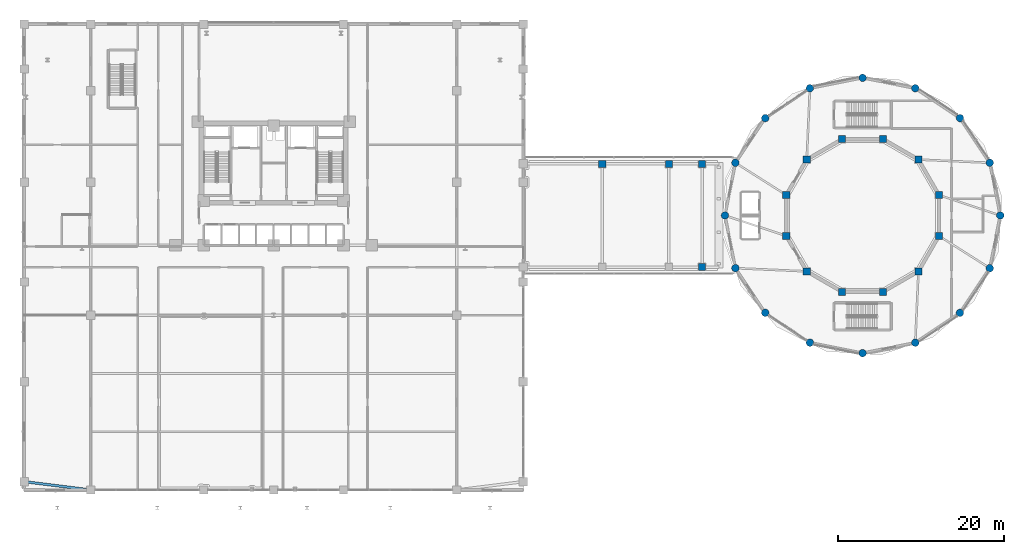
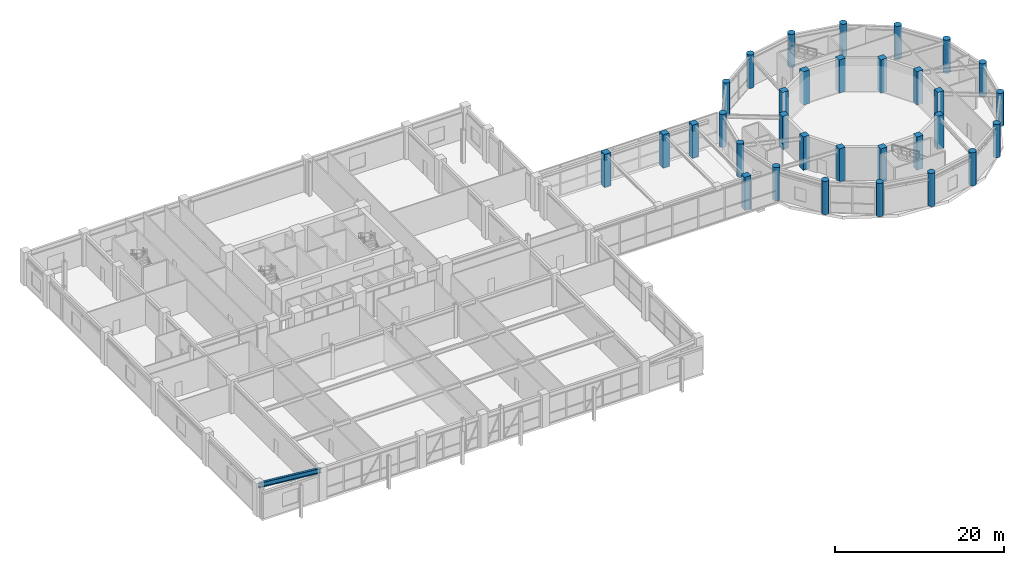
# One storey, part 4 of 48: 32 columns, 1 beam.
"""IFC4 building model written with IfcOpenShell, lengths in metres."""

from ifc_helpers import new_model, si_unit, derived_unit, direction, frame, origin, origin_2d, place, context, subcontext, project, spatial, rectangle, circle, i_section, extrude, source, transform, mapped, material, material_profile, profile_set, type_object, element, save


model = new_model("IFC4")

# Units and contexts
model_context = context("Model", 3, precision=1e-05, world=origin(), true_north=direction((0.0, 1.0)))
body_context = subcontext(model_context, "Body", "Model", "MODEL_VIEW")
ifc_project = project(units=[si_unit("LENGTHUNIT", "METRE"), si_unit("AREAUNIT", "SQUARE_METRE"), si_unit("VOLUMEUNIT", "CUBIC_METRE"), si_unit("PLANEANGLEUNIT", "RADIAN"), si_unit("MASSUNIT", "GRAM", prefix="KILO"), derived_unit("THERMALTRANSMITTANCEUNIT", [(si_unit("POWERUNIT", "WATT"), 1), (si_unit("LENGTHUNIT", "METRE"), -2), (si_unit("THERMODYNAMICTEMPERATUREUNIT", "KELVIN"), -1)])], contexts=[model_context])

# Site, building, storey
site_placement = place(None, origin())
site = spatial("IfcSite", under=ifc_project, at=site_placement, CompositionType="ELEMENT")
building_placement = place(site_placement, origin())
building = spatial("IfcBuilding", under=site, at=building_placement, Name="Korsvarv Bourse and Concert Hall", CompositionType="ELEMENT")
storey_placement = place(building_placement, frame((0.0, 0.0, 4.800048828125)))
storey = spatial("IfcBuildingStorey", under=building, at=storey_placement, Name="L01", CompositionType="ELEMENT", Elevation=4.800048828125)

# Columns
ifc_material_1 = material(Name="Concrete C50/60", Category="concrete")
ifc_material_profile_1 = material_profile(ifc_material_1, rectangle(XDim=0.85009765625, YDim=0.85009765625, at=origin_2d()), Name="RC 850x850")
ifc_profile_set_1 = profile_set([ifc_material_profile_1], Name="Concrete C50/60")
column_type_1 = type_object("IfcColumnType", Name="COL-RC850", PredefinedType="COLUMN", material=ifc_profile_set_1)
shared_shape_1 = source(origin(), body_context, "Body", "SweptSolid", [
    extrude(rectangle(XDim=0.85009765625, YDim=0.85009765625, at=origin_2d()), origin(), (0.0, 0.0, 1.0), 4.800048828125),
])
for number, where, z_axis, x_axis, name in (
    (1, (75.5, 42.199951171875, 0.0), (0.0, 0.0, 1.0), (1.0, 0.0, 0.0), "L01 column C-04"),
    (2, (83.5, 42.199951171875, 0.0), (0.0, 0.0, 1.0), (1.0, 0.0, 0.0), "L01 column C-04"),
    (3, (87.5, 29.800048828125, 0.0), (0.0, 0.0, 1.0), (1.0, 0.0, 0.0), "L01 column C-04"),
    (4, (87.5, 42.199951171875, 0.0), (0.0, 0.0, 1.0), (1.0, 0.0, 0.0), "L01 column C-04"),
    (5, (115.976318359375, 38.458740234375, 0.0), (0.0, 0.0, 1.0), (1.0, 0.0, 0.0), "L01 column C-04"),
    (6, (113.517578125, 42.717529296875, 0.0), (0.0, 0.0, 1.0), (1.0, 0.0, 0.0), "L01 column C-04"),
    (7, (109.2587890625, 45.17626953125, 0.0), (0.0, 0.0, 1.0), (1.0, 0.0, 0.0), "L01 column C-04"),
    (8, (104.34130859375, 45.17626953125, 0.0), (0.0, 0.0, 1.0), (1.0, 0.0, 0.0), "L01 column C-04"),
    (9, (100.08251953125, 42.717529296875, 0.0), (0.0, 0.0, 1.0), (1.0, 0.0, 0.0), "L01 column C-04"),
    (10, (97.623779296875, 38.458740234375, 0.0), (0.0, 0.0, 1.0), (1.0, 0.0, 0.0), "L01 column C-04"),
    (11, (97.623779296875, 33.541259765625, 0.0), (0.0, 0.0, 1.0), (1.0, 0.0, 0.0), "L01 column C-04"),
    (12, (100.08251953125, 29.282470703125, 0.0), (0.0, 0.0, 1.0), (1.0, 0.0, 0.0), "L01 column C-04"),
    (13, (104.34130859375, 26.82373046875, 0.0), (0.0, 0.0, 1.0), (1.0, 0.0, 0.0), "L01 column C-04"),
    (14, (109.2587890625, 26.82373046875, 0.0), (0.0, 0.0, 1.0), (1.0, 0.0, 0.0), "L01 column C-04"),
    (15, (113.517578125, 29.282470703125, 0.0), (0.0, 0.0, 1.0), (1.0, 0.0, 0.0), "L01 column C-04"),
    (16, (115.976318359375, 33.541259765625, 0.0), (0.0, 0.0, 1.0), (1.0, 0.0, 0.0), "L01 column C-04"),
):
    element("IfcColumn", number, at=place(storey_placement, frame(where, z_axis=z_axis, x_axis=x_axis)), inside=storey, type_object=column_type_1, Name=name, PredefinedType="COLUMN", context=body_context, shape_type="MappedRepresentation", body=[
        mapped(shared_shape_1, transform((0.0, 0.0, 0.0), scale=1.0)),
    ])
ifc_material_profile_2 = material_profile(ifc_material_1, circle(Radius=0.449951171875, at=origin_2d()), Name="RC-D900")
ifc_profile_set_2 = profile_set([ifc_material_profile_2], Name="Concrete C50/60")
column_type_2 = type_object("IfcColumnType", Name="COL-RCD900", PredefinedType="COLUMN", material=ifc_profile_set_2)
shared_shape_2 = source(origin(), body_context, "Body", "SweptSolid", [
    extrude(circle(Radius=0.449951171875, at=origin_2d()), origin(), (0.0, 0.0, 1.0), 4.800048828125),
])
for number, where, z_axis, x_axis, name in (
    (17, (123.35009765625, 36.0, 0.0), (0.0, 0.0, 1.0), (1.0, 0.0, 0.0), "L01 column C-06"),
    (18, (122.090087890625, 42.33349609375, 0.0), (0.0, 0.0, 1.0), (1.0, 0.0, 0.0), "L01 column C-06"),
    (19, (118.502685546875, 47.70263671875, 0.0), (0.0, 0.0, 1.0), (1.0, 0.0, 0.0), "L01 column C-06"),
    (20, (113.13330078125, 51.290283203125, 0.0), (0.0, 0.0, 1.0), (1.0, 0.0, 0.0), "L01 column C-06"),
    (21, (106.800048828125, 52.550048828125, 0.0), (0.0, 0.0, 1.0), (1.0, 0.0, 0.0), "L01 column C-06"),
    (22, (100.466552734375, 51.290283203125, 0.0), (0.0, 0.0, 1.0), (1.0, 0.0, 0.0), "L01 column C-06"),
    (23, (95.097412109375, 47.70263671875, 0.0), (0.0, 0.0, 1.0), (1.0, 0.0, 0.0), "L01 column C-06"),
    (24, (91.509765625, 42.33349609375, 0.0), (0.0, 0.0, 1.0), (1.0, 0.0, 0.0), "L01 column C-06"),
    (25, (90.25, 36.0, 0.0), (0.0, 0.0, 1.0), (1.0, 0.0, 0.0), "L01 column C-06"),
    (26, (91.509765625, 29.66650390625, 0.0), (0.0, 0.0, 1.0), (1.0, 0.0, 0.0), "L01 column C-06"),
    (27, (95.097412109375, 24.29736328125, 0.0), (0.0, 0.0, 1.0), (1.0, 0.0, 0.0), "L01 column C-06"),
    (28, (100.466552734375, 20.709716796875, 0.0), (0.0, 0.0, 1.0), (1.0, 0.0, 0.0), "L01 column C-06"),
    (29, (106.800048828125, 19.449951171875, 0.0), (0.0, 0.0, 1.0), (1.0, 0.0, 0.0), "L01 column C-06"),
    (30, (113.13330078125, 20.709716796875, 0.0), (0.0, 0.0, 1.0), (1.0, 0.0, 0.0), "L01 column C-06"),
    (31, (118.502685546875, 24.29736328125, 0.0), (0.0, 0.0, 1.0), (1.0, 0.0, 0.0), "L01 column C-06"),
    (32, (122.090087890625, 29.66650390625, 0.0), (0.0, 0.0, 1.0), (1.0, 0.0, 0.0), "L01 column C-06"),
):
    element("IfcColumn", number, at=place(storey_placement, frame(where, z_axis=z_axis, x_axis=x_axis)), inside=storey, type_object=column_type_2, Name=name, PredefinedType="COLUMN", context=body_context, shape_type="MappedRepresentation", body=[
        mapped(shared_shape_2, transform((0.0, 0.0, 0.0), scale=1.0)),
    ])

# Beam
ifc_material_2 = material(Name="Steel S355", Category="steel")
ifc_material_profile_3 = material_profile(ifc_material_2, i_section(OverallWidth=0.300048828125, OverallDepth=0.699951171875, WebThickness=0.01708984375, FlangeThickness=0.031982421875, FilletRadius=0.027099609375, at=origin_2d()), Name="HEB 700")
ifc_profile_set_3 = profile_set([ifc_material_profile_3], Name="Steel S355")
beam_type = type_object("IfcBeamType", Name="BM-HEB700", PredefinedType="BEAM", material=ifc_profile_set_3)
shared_shape_3 = source(origin(), body_context, "Body", "SweptSolid", [
    extrude(i_section(OverallWidth=0.300048828125, OverallDepth=0.699951171875, WebThickness=0.01708984375, FlangeThickness=0.031982421875, FilletRadius=0.027099609375, at=origin_2d()), origin(), (0.0, 0.0, 1.0), 8.062255859375),
])
beam_placement = place(storey_placement, frame((6.0, 4.0, 4.169921875), z_axis=(0.992277876714, -0.124034734589, 0.0), x_axis=(0.124034734589, 0.992277876714, 0.0)))
element("IfcBeam", 33, at=beam_placement, inside=storey, type_object=beam_type, Name="L01 beam B-03", PredefinedType="BEAM", context=body_context, shape_type="MappedRepresentation", body=[
    mapped(shared_shape_3, transform((0.0, 0.0, 0.0), scale=1.0)),
])

save(model, "model.ifc")
